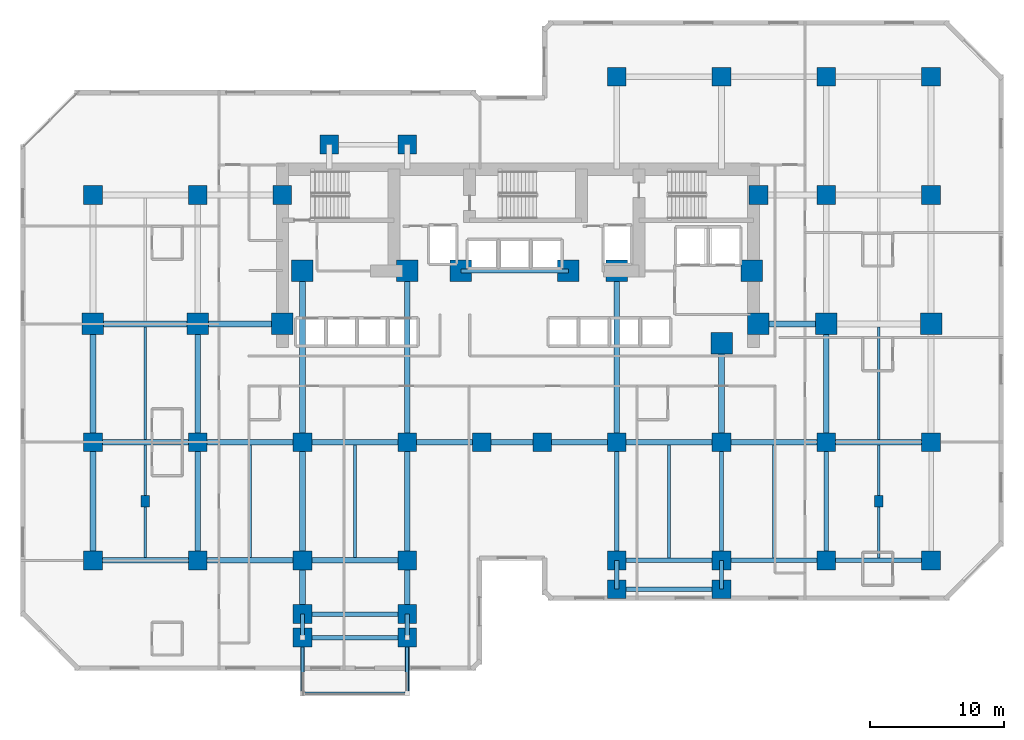
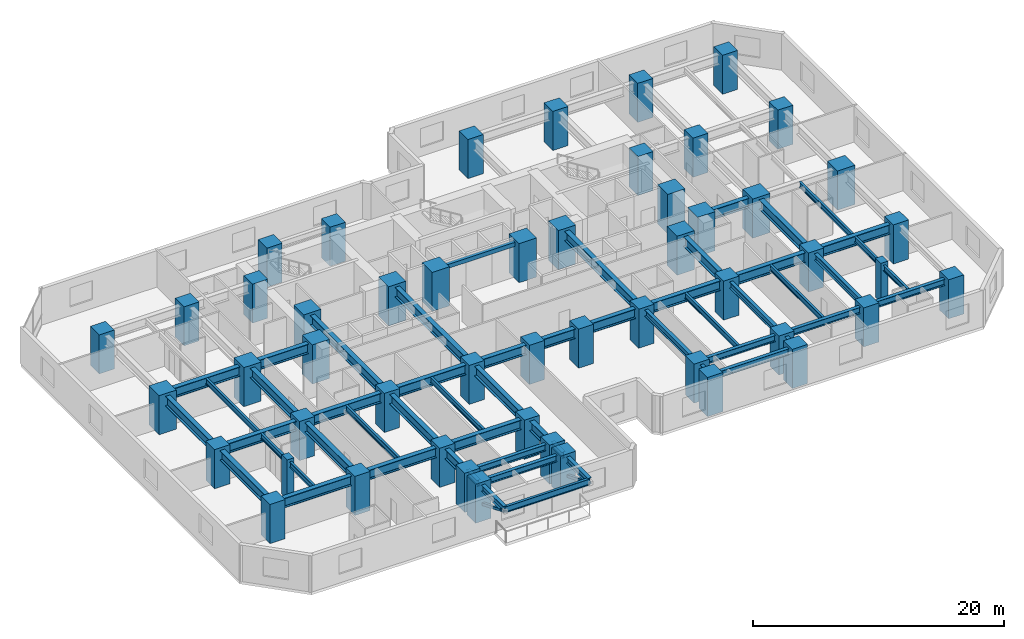
# One storey, part 1 of 11: 53 beams, 51 columns, 2 members.
"""IFC4 building model written with IfcOpenShell, lengths in metres."""

from ifc_helpers import new_model, si_unit, direction, frame, origin, origin_2d, place, context, subcontext, project, spatial, rectangle, hollow_rectangle, i_section, extrude, material, material_profile, profile_set, type_object, element, save


model = new_model("IFC4")

# Units and contexts
model_context = context("Model", 3, precision=1e-05, world=origin(), true_north=direction((0.0, 1.0)))
body_context = subcontext(model_context, "Body", "Model", "MODEL_VIEW")
ifc_project = project(units=[si_unit("LENGTHUNIT", "METRE"), si_unit("AREAUNIT", "SQUARE_METRE"), si_unit("VOLUMEUNIT", "CUBIC_METRE"), si_unit("PLANEANGLEUNIT", "RADIAN"), si_unit("MASSUNIT", "GRAM", prefix="KILO")], contexts=[model_context])

# Site, building, storey
site_placement = place(None, origin())
site = spatial("IfcSite", under=ifc_project, at=site_placement, CompositionType="ELEMENT")
building_placement = place(site_placement, origin())
building = spatial("IfcBuilding", under=site, at=building_placement, Name="Kestravale Grand Hotel", CompositionType="ELEMENT")
storey_placement = place(building_placement, frame((0.0, 0.0, 29.800048828125)))
storey = spatial("IfcBuildingStorey", under=building, at=storey_placement, Name="L06", CompositionType="ELEMENT", Elevation=29.800048828125)

# Columns
ifc_material_1 = material(Name="Concrete f'c 70 MPa", Category="concrete")
ifc_material_profile_1 = material_profile(ifc_material_1, rectangle(XDim=1.39990234375, YDim=1.39990234375, at=origin_2d()))
ifc_profile_set_1 = profile_set([ifc_material_profile_1], Name="Concrete f'c 70 MPa")
column_type_1 = type_object("IfcColumnType", Name="C-Z1-1400", PredefinedType="COLUMN", material=ifc_profile_set_1)
for number, where, z_axis, x_axis, name in (
    (1, (7.800048828125, 11.199951171875, 0.0), (0.0, 0.0, 1.0), (1.0, 0.0, 0.0), "L06 column 2-C"),
    (2, (7.800048828125, 20.0, 0.0), (0.0, 0.0, 1.0), (1.0, 0.0, 0.0), "L06 column 2-D"),
    (3, (7.800048828125, 38.39990234375, 0.0), (0.0, 0.0, 1.0), (1.0, 0.0, 0.0), "L06 column 2-F"),
    (4, (15.60009765625, 11.199951171875, 0.0), (0.0, 0.0, 1.0), (1.0, 0.0, 0.0), "L06 column 3-C"),
    (5, (15.60009765625, 20.0, 0.0), (0.0, 0.0, 1.0), (1.0, 0.0, 0.0), "L06 column 3-D"),
    (6, (15.60009765625, 38.39990234375, 0.0), (0.0, 0.0, 1.0), (1.0, 0.0, 0.0), "L06 column 3-F"),
    (7, (23.39990234375, 11.199951171875, 0.0), (0.0, 0.0, 1.0), (1.0, 0.0, 0.0), "L06 column 4-C"),
    (8, (23.39990234375, 20.0, 0.0), (0.0, 0.0, 1.0), (1.0, 0.0, 0.0), "L06 column 4-D"),
    (9, (31.199951171875, 11.199951171875, 0.0), (0.0, 0.0, 1.0), (1.0, 0.0, 0.0), "L06 column 5-C"),
    (10, (31.199951171875, 20.0, 0.0), (0.0, 0.0, 1.0), (1.0, 0.0, 0.0), "L06 column 5-D"),
    (11, (36.75, 20.0, 0.0), (0.0, 0.0, 1.0), (1.0, 0.0, 0.0), "L06 column 6-D"),
    (12, (41.25, 20.0, 0.0), (0.0, 0.0, 1.0), (1.0, 0.0, 0.0), "L06 column 7-D"),
    (13, (46.800048828125, 11.199951171875, 0.0), (0.0, 0.0, 1.0), (1.0, 0.0, 0.0), "L06 column 8-C"),
    (14, (46.800048828125, 20.0, 0.0), (0.0, 0.0, 1.0), (1.0, 0.0, 0.0), "L06 column 8-D"),
    (15, (46.800048828125, 47.199951171875, 0.0), (0.0, 0.0, 1.0), (1.0, 0.0, 0.0), "L06 column 8-G"),
    (16, (54.60009765625, 11.199951171875, 0.0), (0.0, 0.0, 1.0), (1.0, 0.0, 0.0), "L06 column 9-C"),
    (17, (54.60009765625, 20.0, 0.0), (0.0, 0.0, 1.0), (1.0, 0.0, 0.0), "L06 column 9-D"),
    (18, (54.60009765625, 47.199951171875, 0.0), (0.0, 0.0, 1.0), (1.0, 0.0, 0.0), "L06 column 9-G"),
    (19, (62.39990234375, 11.199951171875, 0.0), (0.0, 0.0, 1.0), (1.0, 0.0, 0.0), "L06 column 10-C"),
    (20, (62.39990234375, 20.0, 0.0), (0.0, 0.0, 1.0), (1.0, 0.0, 0.0), "L06 column 10-D"),
    (21, (62.39990234375, 38.39990234375, 0.0), (0.0, 0.0, 1.0), (1.0, 0.0, 0.0), "L06 column 10-F"),
    (22, (62.39990234375, 47.199951171875, 0.0), (0.0, 0.0, 1.0), (1.0, 0.0, 0.0), "L06 column 10-G"),
    (23, (70.199951171875, 11.199951171875, 0.0), (0.0, 0.0, 1.0), (1.0, 0.0, 0.0), "L06 column 11-C"),
    (24, (70.199951171875, 20.0, 0.0), (0.0, 0.0, 1.0), (1.0, 0.0, 0.0), "L06 column 11-D"),
    (25, (70.199951171875, 38.39990234375, 0.0), (0.0, 0.0, 1.0), (1.0, 0.0, 0.0), "L06 column 11-F"),
    (26, (70.199951171875, 47.199951171875, 0.0), (0.0, 0.0, 1.0), (1.0, 0.0, 0.0), "L06 column 11-G"),
    (27, (21.89990234375, 38.39990234375, 0.0), (0.0, 0.0, 1.0), (1.0, 0.0, 0.0), "L06 column CW-F"),
    (28, (57.35009765625, 38.39990234375, 0.0), (0.0, 0.0, 1.0), (1.0, 0.0, 0.0), "L06 column CE-F"),
    (29, (23.39990234375, 7.199951171875, 0.0), (0.0, 0.0, 1.0), (1.0, 0.0, 0.0), "L06 column 4-BS"),
    (30, (31.199951171875, 7.199951171875, 0.0), (0.0, 0.0, 1.0), (1.0, 0.0, 0.0), "L06 column 5-BS"),
    (31, (25.39990234375, 42.14990234375, 0.0), (0.0, 0.0, 1.0), (1.0, 0.0, 0.0), "L06 column 4-FN"),
    (32, (31.199951171875, 42.14990234375, 0.0), (0.0, 0.0, 1.0), (1.0, 0.0, 0.0), "L06 column 5-FN"),
    (33, (23.39990234375, 5.449951171875, 0.0), (0.0, 0.0, 1.0), (1.0, 0.0, 0.0), "L06 column 4-B1S"),
    (34, (31.199951171875, 5.449951171875, 0.0), (0.0, 0.0, 1.0), (1.0, 0.0, 0.0), "L06 column 5-B1S"),
    (35, (46.800048828125, 9.050048828125, 0.0), (0.0, 0.0, 1.0), (1.0, 0.0, 0.0), "L06 column 8-B1E"),
    (36, (54.60009765625, 9.050048828125, 0.0), (0.0, 0.0, 1.0), (1.0, 0.0, 0.0), "L06 column 9-B1E"),
):
    element("IfcColumn", number, at=place(storey_placement, frame(where, z_axis=z_axis, x_axis=x_axis)), inside=storey, type_object=column_type_1, Name=name, PredefinedType="COLUMN", context=body_context, shape_type="SweptSolid", body=[
        extrude(rectangle(XDim=1.39990234375, YDim=1.39990234375, at=origin_2d()), origin(), (0.0, 0.0, 1.0), 3.800048828125),
    ])
ifc_material_2 = material(Name="Concrete f'c 70 MPa", Category="concrete")
ifc_material_profile_2 = material_profile(ifc_material_2, rectangle(XDim=1.60009765625, YDim=1.60009765625, at=origin_2d()))
ifc_profile_set_2 = profile_set([ifc_material_profile_2], Name="Concrete f'c 70 MPa")
column_type_2 = type_object("IfcColumnType", Name="C-Z1-1600", PredefinedType="COLUMN", material=ifc_profile_set_2)
for number, where, z_axis, x_axis, name in (
    (37, (7.800048828125, 28.800048828125, 0.0), (0.0, 0.0, 1.0), (1.0, 0.0, 0.0), "L06 column 2-E"),
    (38, (15.60009765625, 28.800048828125, 0.0), (0.0, 0.0, 1.0), (1.0, 0.0, 0.0), "L06 column 3-E"),
    (39, (62.39990234375, 28.800048828125, 0.0), (0.0, 0.0, 1.0), (1.0, 0.0, 0.0), "L06 column 10-E"),
    (40, (70.199951171875, 28.800048828125, 0.0), (0.0, 0.0, 1.0), (1.0, 0.0, 0.0), "L06 column 11-E"),
    (41, (21.89990234375, 28.800048828125, 0.0), (0.0, 0.0, 1.0), (1.0, 0.0, 0.0), "L06 column CW-E"),
    (42, (57.35009765625, 28.800048828125, 0.0), (0.0, 0.0, 1.0), (1.0, 0.0, 0.0), "L06 column CE-E"),
    (43, (23.39990234375, 32.75, 0.0), (0.0, 0.0, 1.0), (1.0, 0.0, 0.0), "L06 column 4-CS"),
    (44, (31.199951171875, 32.75, 0.0), (0.0, 0.0, 1.0), (1.0, 0.0, 0.0), "L06 column 5-CS"),
    (45, (35.199951171875, 32.75, 0.0), (0.0, 0.0, 1.0), (1.0, 0.0, 0.0), "L06 column 6C-CS"),
    (46, (43.199951171875, 32.75, 0.0), (0.0, 0.0, 1.0), (1.0, 0.0, 0.0), "L06 column 7C-CS"),
    (47, (46.800048828125, 32.75, 0.0), (0.0, 0.0, 1.0), (1.0, 0.0, 0.0), "L06 column 8-CS"),
    (48, (54.60009765625, 27.35009765625, 0.0), (0.0, 0.0, 1.0), (1.0, 0.0, 0.0), "L06 column 9-CS"),
    (49, (56.85009765625, 32.75, 0.0), (0.0, 0.0, 1.0), (1.0, 0.0, 0.0), "L06 column 9C-CS"),
):
    element("IfcColumn", number, at=place(storey_placement, frame(where, z_axis=z_axis, x_axis=x_axis)), inside=storey, type_object=column_type_2, Name=name, PredefinedType="COLUMN", context=body_context, shape_type="SweptSolid", body=[
        extrude(rectangle(XDim=1.60009765625, YDim=1.60009765625, at=origin_2d()), origin(), (0.0, 0.0, 1.0), 3.800048828125),
    ])
ifc_material_3 = material(Name="Precast concrete f'c 45 MPa", Category="concrete")
ifc_material_profile_3 = material_profile(ifc_material_3, rectangle(XDim=0.64990234375, YDim=0.85009765625, at=origin_2d()))
ifc_profile_set_3 = profile_set([ifc_material_profile_3], Name="Precast concrete f'c 45 MPa")
column_type_3 = type_object("IfcColumnType", Name="C-Z1-PIL850", PredefinedType="PILASTER", material=ifc_profile_set_3)
for number, where, z_axis, x_axis, name in (
    (50, (11.699951171875, 15.60009765625, 0.0), (0.0, 0.0, 1.0), (1.0, 0.0, 0.0), "L06 Art Deco fluted pilaster P1"),
    (51, (66.300048828125, 15.60009765625, 0.0), (0.0, 0.0, 1.0), (1.0, 0.0, 0.0), "L06 Art Deco fluted pilaster P2"),
):
    element("IfcColumn", number, at=place(storey_placement, frame(where, z_axis=z_axis, x_axis=x_axis)), inside=storey, type_object=column_type_3, Name=name, PredefinedType="PILASTER", context=body_context, shape_type="SweptSolid", body=[
        extrude(rectangle(XDim=0.64990234375, YDim=0.85009765625, at=origin_2d()), origin(), (0.0, 0.0, 1.0), 3.800048828125),
    ])

# Beams
ifc_material_4 = material(Name="Steel ASTM A992 Grade 50", Category="steel")
ifc_material_profile_4 = material_profile(ifc_material_4, i_section(OverallWidth=0.2099609375, OverallDepth=0.535888671875, WebThickness=0.010986328125, FlangeThickness=0.017333984375, FilletRadius=0.017578125, at=origin_2d()))
ifc_profile_set_4 = profile_set([ifc_material_profile_4], Name="Steel ASTM A992 Grade 50")
beam_type_1 = type_object("IfcBeamType", Name="B-FLR-JST21", PredefinedType="JOIST", material=ifc_profile_set_4)
for number, where, z_axis, x_axis, name in (
    (52, (11.699951171875, 11.412109375, 3.27197265625), (0.0, 1.0, 0.0), (-1.0, 0.0, 0.0), "L06 floor joist 2-3/C-D #1"),
    (53, (11.699951171875, 20.2119140625, 3.27197265625), (0.0, 1.0, 0.0), (-1.0, 0.0, 0.0), "L06 floor joist 2-3/D-E #1"),
    (54, (19.5, 11.412109375, 3.27197265625), (0.0, 1.0, 0.0), (-1.0, 0.0, 0.0), "L06 floor joist 3-4/C-D #1"),
    (55, (27.300048828125, 11.412109375, 3.27197265625), (0.0, 1.0, 0.0), (-1.0, 0.0, 0.0), "L06 floor joist 4-5/C-D #1"),
):
    element("IfcBeam", number, at=place(storey_placement, frame(where, z_axis=z_axis, x_axis=x_axis)), inside=storey, type_object=beam_type_1, Name=name, PredefinedType="JOIST", context=body_context, shape_type="SweptSolid", body=[
        extrude(i_section(OverallWidth=0.2099609375, OverallDepth=0.535888671875, WebThickness=0.010986328125, FlangeThickness=0.017333984375, FilletRadius=0.017578125, at=origin_2d()), origin(), (0.0, 0.0, 1.0), 8.3759765625),
    ])
for number, where, z_axis, x_axis, name in (
    (56, (50.699951171875, 11.362548828125, 3.27197265625), (0.0, 1.0, 0.0), (-1.0, 0.0, 0.0), "L06 floor joist 8-9/C-D #1"),
    (57, (58.5, 11.362548828125, 3.27197265625), (0.0, 1.0, 0.0), (-1.0, 0.0, 0.0), "L06 floor joist 9-10/C-D #1"),
    (58, (66.300048828125, 11.362548828125, 3.27197265625), (0.0, 1.0, 0.0), (-1.0, 0.0, 0.0), "L06 floor joist 10-11/C-D #1"),
):
    element("IfcBeam", number, at=place(storey_placement, frame(where, z_axis=z_axis, x_axis=x_axis)), inside=storey, type_object=beam_type_1, Name=name, PredefinedType="JOIST", context=body_context, shape_type="SweptSolid", body=[
        extrude(i_section(OverallWidth=0.2099609375, OverallDepth=0.535888671875, WebThickness=0.010986328125, FlangeThickness=0.017333984375, FilletRadius=0.017578125, at=origin_2d()), origin(), (0.0, 0.0, 1.0), 8.425537109375),
    ])
beam_1_placement = place(storey_placement, frame((66.300048828125, 20.2119140625, 3.27197265625), z_axis=(0.0, 1.0, 0.0), x_axis=(-1.0, 0.0, 0.0)))
element("IfcBeam", 59, at=beam_1_placement, inside=storey, type_object=beam_type_1, Name="L06 floor joist 10-11/D-E #1", PredefinedType="JOIST", context=body_context, shape_type="SweptSolid", body=[
    extrude(i_section(OverallWidth=0.2099609375, OverallDepth=0.535888671875, WebThickness=0.010986328125, FlangeThickness=0.017333984375, FilletRadius=0.017578125, at=origin_2d()), origin(), (0.0, 0.0, 1.0), 8.3759765625),
])
ifc_material_5 = material(Name="Concrete f'c 45 MPa", Category="concrete")
ifc_material_profile_5 = material_profile(ifc_material_5, rectangle(XDim=0.300048828125, YDim=0.39990234375, at=origin_2d()))
ifc_profile_set_5 = profile_set([ifc_material_profile_5], Name="Concrete f'c 45 MPa")
beam_type_2 = type_object("IfcBeamType", Name="B-FLR-LNT400", PredefinedType="LINTEL", material=ifc_profile_set_5)
beam_2_placement = place(storey_placement, frame((35.199951171875, 32.75, 3.33984375), z_axis=(1.0, 0.0, 0.0), x_axis=(0.0, 1.0, 0.0)))
element("IfcBeam", 60, at=beam_2_placement, inside=storey, type_object=beam_type_2, Name="L06 core portal header lintel", PredefinedType="LINTEL", context=body_context, shape_type="SweptSolid", body=[
    extrude(rectangle(XDim=0.300048828125, YDim=0.39990234375, at=origin_2d()), origin(), (0.0, 0.0, 1.0), 8.0),
])
ifc_material_6 = material(Name="Steel ASTM A992 Grade 50", Category="steel")
ifc_material_profile_6 = material_profile(ifc_material_6, i_section(OverallWidth=0.324951171875, OverallDepth=0.612060546875, WebThickness=0.0126953125, FlangeThickness=0.01904296875, FilletRadius=0.018798828125, at=origin_2d()))
ifc_profile_set_6 = profile_set([ifc_material_profile_6], Name="Steel ASTM A992 Grade 50")
beam_type_3 = type_object("IfcBeamType", Name="B-FLR-W24A", PredefinedType="SPANDREL", material=ifc_profile_set_6)
beam_3_placement = place(storey_placement, frame((46.800048828125, 11.199951171875, 3.23388671875), z_axis=(1.0, 0.0, 0.0), x_axis=(0.0, 1.0, 0.0)))
element("IfcBeam", 61, at=beam_3_placement, inside=storey, type_object=beam_type_3, Name="L06 spandrel C:8-9", PredefinedType="SPANDREL", context=body_context, shape_type="SweptSolid", body=[
    extrude(i_section(OverallWidth=0.324951171875, OverallDepth=0.612060546875, WebThickness=0.0126953125, FlangeThickness=0.01904296875, FilletRadius=0.018798828125, at=origin_2d()), origin(), (0.0, 0.0, 1.0), 7.800048828125),
])
beam_4_placement = place(storey_placement, frame((54.60009765625, 11.199951171875, 3.23388671875), z_axis=(1.0, 0.0, 0.0), x_axis=(0.0, 1.0, 0.0)))
element("IfcBeam", 62, at=beam_4_placement, inside=storey, type_object=beam_type_3, Name="L06 spandrel C:9-10", PredefinedType="SPANDREL", context=body_context, shape_type="SweptSolid", body=[
    extrude(i_section(OverallWidth=0.324951171875, OverallDepth=0.612060546875, WebThickness=0.0126953125, FlangeThickness=0.01904296875, FilletRadius=0.018798828125, at=origin_2d()), origin(), (0.0, 0.0, 1.0), 7.7998046875),
])
for number, where, z_axis, x_axis, name in (
    (63, (62.39990234375, 11.199951171875, 3.23388671875), (1.0, 0.0, 0.0), (0.0, 1.0, 0.0), "L06 spandrel C:10-11"),
    (64, (23.39990234375, 5.449951171875, 3.23388671875), (1.0, 0.0, 0.0), (0.0, 1.0, 0.0), "L06 perimeter tie spandrel B1S:4-5"),
    (65, (46.800048828125, 9.050048828125, 3.23388671875), (1.0, 0.0, 0.0), (0.0, 1.0, 0.0), "L06 perimeter tie spandrel B1E:8-9"),
    (66, (23.39990234375, 7.199951171875, 3.23388671875), (1.0, 0.0, 0.0), (0.0, 1.0, 0.0), "L06 perimeter tie spandrel BS:4-5"),
):
    element("IfcBeam", number, at=place(storey_placement, frame(where, z_axis=z_axis, x_axis=x_axis)), inside=storey, type_object=beam_type_3, Name=name, PredefinedType="SPANDREL", context=body_context, shape_type="SweptSolid", body=[
        extrude(i_section(OverallWidth=0.324951171875, OverallDepth=0.612060546875, WebThickness=0.0126953125, FlangeThickness=0.01904296875, FilletRadius=0.018798828125, at=origin_2d()), origin(), (0.0, 0.0, 1.0), 7.800048828125),
    ])
for number, where, z_axis, x_axis, name in (
    (67, (23.39990234375, 5.449951171875, 3.23388671875), (0.0, 1.0, 0.0), (-1.0, 0.0, 0.0), "L06 spandrel 4:B1S-BS"),
    (68, (31.199951171875, 5.449951171875, 3.23388671875), (0.0, 1.0, 0.0), (-1.0, 0.0, 0.0), "L06 spandrel 5:B1S-BS"),
):
    element("IfcBeam", number, at=place(storey_placement, frame(where, z_axis=z_axis, x_axis=x_axis)), inside=storey, type_object=beam_type_3, Name=name, PredefinedType="SPANDREL", context=body_context, shape_type="SweptSolid", body=[
        extrude(i_section(OverallWidth=0.324951171875, OverallDepth=0.612060546875, WebThickness=0.0126953125, FlangeThickness=0.01904296875, FilletRadius=0.018798828125, at=origin_2d()), origin(), (0.0, 0.0, 1.0), 1.75),
    ])
beam_5_placement = place(storey_placement, frame((46.800048828125, 9.050048828125, 3.23388671875), z_axis=(0.0, 1.0, 0.0), x_axis=(-1.0, 0.0, 0.0)))
element("IfcBeam", 69, at=beam_5_placement, inside=storey, type_object=beam_type_3, Name="L06 spandrel 8:B1E-C", PredefinedType="SPANDREL", context=body_context, shape_type="SweptSolid", body=[
    extrude(i_section(OverallWidth=0.324951171875, OverallDepth=0.612060546875, WebThickness=0.0126953125, FlangeThickness=0.01904296875, FilletRadius=0.018798828125, at=origin_2d()), origin(), (0.0, 0.0, 1.0), 2.14990234375),
])
beam_6_placement = place(storey_placement, frame((46.800048828125, 11.199951171875, 3.23388671875), z_axis=(0.0, 1.0, 0.0), x_axis=(-1.0, 0.0, 0.0)))
element("IfcBeam", 70, at=beam_6_placement, inside=storey, type_object=beam_type_3, Name="L06 spandrel 8:C-D", PredefinedType="SPANDREL", context=body_context, shape_type="SweptSolid", body=[
    extrude(i_section(OverallWidth=0.324951171875, OverallDepth=0.612060546875, WebThickness=0.0126953125, FlangeThickness=0.01904296875, FilletRadius=0.018798828125, at=origin_2d()), origin(), (0.0, 0.0, 1.0), 8.800048828125),
])
beam_7_placement = place(storey_placement, frame((54.60009765625, 9.050048828125, 3.23388671875), z_axis=(0.0, 1.0, 0.0), x_axis=(-1.0, 0.0, 0.0)))
element("IfcBeam", 71, at=beam_7_placement, inside=storey, type_object=beam_type_3, Name="L06 spandrel 9:B1E-C", PredefinedType="SPANDREL", context=body_context, shape_type="SweptSolid", body=[
    extrude(i_section(OverallWidth=0.324951171875, OverallDepth=0.612060546875, WebThickness=0.0126953125, FlangeThickness=0.01904296875, FilletRadius=0.018798828125, at=origin_2d()), origin(), (0.0, 0.0, 1.0), 2.14990234375),
])
for number, where, z_axis, x_axis, name in (
    (72, (54.60009765625, 11.199951171875, 3.23388671875), (0.0, 1.0, 0.0), (-1.0, 0.0, 0.0), "L06 spandrel 9:C-D"),
    (73, (62.39990234375, 11.199951171875, 3.23388671875), (0.0, 1.0, 0.0), (-1.0, 0.0, 0.0), "L06 spandrel 10:C-D"),
):
    element("IfcBeam", number, at=place(storey_placement, frame(where, z_axis=z_axis, x_axis=x_axis)), inside=storey, type_object=beam_type_3, Name=name, PredefinedType="SPANDREL", context=body_context, shape_type="SweptSolid", body=[
        extrude(i_section(OverallWidth=0.324951171875, OverallDepth=0.612060546875, WebThickness=0.0126953125, FlangeThickness=0.01904296875, FilletRadius=0.018798828125, at=origin_2d()), origin(), (0.0, 0.0, 1.0), 8.800048828125),
    ])
for number, where, z_axis, x_axis, name in (
    (74, (23.39990234375, 5.449951171875, 3.223876953125), (0.0, -1.0, 0.0), (1.0, 0.0, 0.0), "L07 terrace cantilever beam 1"),
    (75, (31.199951171875, 5.449951171875, 3.223876953125), (0.0, -1.0, 0.0), (1.0, 0.0, 0.0), "L07 terrace cantilever beam 2"),
):
    element("IfcBeam", number, at=place(storey_placement, frame(where, z_axis=z_axis, x_axis=x_axis)), inside=storey, type_object=beam_type_3, Name=name, PredefinedType="SPANDREL", context=body_context, shape_type="SweptSolid", body=[
        extrude(i_section(OverallWidth=0.324951171875, OverallDepth=0.612060546875, WebThickness=0.0126953125, FlangeThickness=0.01904296875, FilletRadius=0.018798828125, at=origin_2d()), origin(), (0.0, 0.0, 1.0), 4.14990234375),
    ])
ifc_material_7 = material(Name="Steel ASTM A992 Grade 50", Category="steel")
ifc_material_profile_7 = material_profile(ifc_material_7, i_section(OverallWidth=0.22900390625, OverallDepth=0.612060546875, WebThickness=0.011962890625, FlangeThickness=0.01953125, FilletRadius=0.019287109375, at=origin_2d()))
ifc_profile_set_7 = profile_set([ifc_material_profile_7], Name="Steel ASTM A992 Grade 50")
beam_type_4 = type_object("IfcBeamType", Name="B-FLR-W24B", PredefinedType="SPANDREL", material=ifc_profile_set_7)
beam_8_placement = place(storey_placement, frame((23.39990234375, 1.300048828125, 3.223876953125), z_axis=(1.0, 0.0, 0.0), x_axis=(0.0, 1.0, 0.0)))
element("IfcBeam", 76, at=beam_8_placement, inside=storey, type_object=beam_type_4, Name="L07 terrace edge spandrel", PredefinedType="SPANDREL", context=body_context, shape_type="SweptSolid", body=[
    extrude(i_section(OverallWidth=0.22900390625, OverallDepth=0.612060546875, WebThickness=0.011962890625, FlangeThickness=0.01953125, FilletRadius=0.019287109375, at=origin_2d()), origin(), (0.0, 0.0, 1.0), 7.800048828125),
])
ifc_material_8 = material(Name="Steel ASTM A992 Grade 50", Category="steel")
ifc_material_profile_8 = material_profile(ifc_material_8, i_section(OverallWidth=0.424072265625, OverallDepth=0.947021484375, WebThickness=0.02392578125, FlangeThickness=0.042724609375, FilletRadius=0.0283203125, at=origin_2d()))
ifc_profile_set_8 = profile_set([ifc_material_profile_8], Name="Steel ASTM A992 Grade 50")
beam_type_5 = type_object("IfcBeamType", Name="B-GRD-W36", PredefinedType="BEAM", material=ifc_profile_set_8)
beam_9_placement = place(storey_placement, frame((7.800048828125, 11.199951171875, 3.06640625), z_axis=(1.0, 0.0, 0.0), x_axis=(0.0, 1.0, 0.0)))
element("IfcBeam", 77, at=beam_9_placement, inside=storey, type_object=beam_type_5, Name="L06 girder C:2-3", PredefinedType="BEAM", context=body_context, shape_type="SweptSolid", body=[
    extrude(i_section(OverallWidth=0.424072265625, OverallDepth=0.947021484375, WebThickness=0.02392578125, FlangeThickness=0.042724609375, FilletRadius=0.0283203125, at=origin_2d()), origin(), (0.0, 0.0, 1.0), 7.800048828125),
])
beam_10_placement = place(storey_placement, frame((15.60009765625, 11.199951171875, 3.06640625), z_axis=(1.0, 0.0, 0.0), x_axis=(0.0, 1.0, 0.0)))
element("IfcBeam", 78, at=beam_10_placement, inside=storey, type_object=beam_type_5, Name="L06 girder C:3-4", PredefinedType="BEAM", context=body_context, shape_type="SweptSolid", body=[
    extrude(i_section(OverallWidth=0.424072265625, OverallDepth=0.947021484375, WebThickness=0.02392578125, FlangeThickness=0.042724609375, FilletRadius=0.0283203125, at=origin_2d()), origin(), (0.0, 0.0, 1.0), 7.7998046875),
])
for number, where, z_axis, x_axis, name in (
    (79, (23.39990234375, 11.199951171875, 3.06640625), (1.0, 0.0, 0.0), (0.0, 1.0, 0.0), "L06 girder C:4-5"),
    (80, (7.800048828125, 20.0, 3.06640625), (1.0, 0.0, 0.0), (0.0, 1.0, 0.0), "L06 girder D:2-3"),
):
    element("IfcBeam", number, at=place(storey_placement, frame(where, z_axis=z_axis, x_axis=x_axis)), inside=storey, type_object=beam_type_5, Name=name, PredefinedType="BEAM", context=body_context, shape_type="SweptSolid", body=[
        extrude(i_section(OverallWidth=0.424072265625, OverallDepth=0.947021484375, WebThickness=0.02392578125, FlangeThickness=0.042724609375, FilletRadius=0.0283203125, at=origin_2d()), origin(), (0.0, 0.0, 1.0), 7.800048828125),
    ])
beam_11_placement = place(storey_placement, frame((15.60009765625, 20.0, 3.06640625), z_axis=(1.0, 0.0, 0.0), x_axis=(0.0, 1.0, 0.0)))
element("IfcBeam", 81, at=beam_11_placement, inside=storey, type_object=beam_type_5, Name="L06 girder D:3-4", PredefinedType="BEAM", context=body_context, shape_type="SweptSolid", body=[
    extrude(i_section(OverallWidth=0.424072265625, OverallDepth=0.947021484375, WebThickness=0.02392578125, FlangeThickness=0.042724609375, FilletRadius=0.0283203125, at=origin_2d()), origin(), (0.0, 0.0, 1.0), 7.7998046875),
])
beam_12_placement = place(storey_placement, frame((23.39990234375, 20.0, 3.06640625), z_axis=(1.0, 0.0, 0.0), x_axis=(0.0, 1.0, 0.0)))
element("IfcBeam", 82, at=beam_12_placement, inside=storey, type_object=beam_type_5, Name="L06 girder D:4-5", PredefinedType="BEAM", context=body_context, shape_type="SweptSolid", body=[
    extrude(i_section(OverallWidth=0.424072265625, OverallDepth=0.947021484375, WebThickness=0.02392578125, FlangeThickness=0.042724609375, FilletRadius=0.0283203125, at=origin_2d()), origin(), (0.0, 0.0, 1.0), 7.800048828125),
])
beam_13_placement = place(storey_placement, frame((31.199951171875, 20.0, 3.06640625), z_axis=(1.0, 0.0, 0.0), x_axis=(0.0, 1.0, 0.0)))
element("IfcBeam", 83, at=beam_13_placement, inside=storey, type_object=beam_type_5, Name="L06 girder D:5-6", PredefinedType="BEAM", context=body_context, shape_type="SweptSolid", body=[
    extrude(i_section(OverallWidth=0.424072265625, OverallDepth=0.947021484375, WebThickness=0.02392578125, FlangeThickness=0.042724609375, FilletRadius=0.0283203125, at=origin_2d()), origin(), (0.0, 0.0, 1.0), 5.550048828125),
])
beam_14_placement = place(storey_placement, frame((36.75, 20.0, 3.06640625), z_axis=(1.0, 0.0, 0.0), x_axis=(0.0, 1.0, 0.0)))
element("IfcBeam", 84, at=beam_14_placement, inside=storey, type_object=beam_type_5, Name="L06 girder D:6-7", PredefinedType="BEAM", context=body_context, shape_type="SweptSolid", body=[
    extrude(i_section(OverallWidth=0.424072265625, OverallDepth=0.947021484375, WebThickness=0.02392578125, FlangeThickness=0.042724609375, FilletRadius=0.0283203125, at=origin_2d()), origin(), (0.0, 0.0, 1.0), 4.5),
])
beam_15_placement = place(storey_placement, frame((41.25, 20.0, 3.06640625), z_axis=(1.0, 0.0, 0.0), x_axis=(0.0, 1.0, 0.0)))
element("IfcBeam", 85, at=beam_15_placement, inside=storey, type_object=beam_type_5, Name="L06 girder D:7-8", PredefinedType="BEAM", context=body_context, shape_type="SweptSolid", body=[
    extrude(i_section(OverallWidth=0.424072265625, OverallDepth=0.947021484375, WebThickness=0.02392578125, FlangeThickness=0.042724609375, FilletRadius=0.0283203125, at=origin_2d()), origin(), (0.0, 0.0, 1.0), 5.550048828125),
])
beam_16_placement = place(storey_placement, frame((46.800048828125, 20.0, 3.06640625), z_axis=(1.0, 0.0, 0.0), x_axis=(0.0, 1.0, 0.0)))
element("IfcBeam", 86, at=beam_16_placement, inside=storey, type_object=beam_type_5, Name="L06 girder D:8-9", PredefinedType="BEAM", context=body_context, shape_type="SweptSolid", body=[
    extrude(i_section(OverallWidth=0.424072265625, OverallDepth=0.947021484375, WebThickness=0.02392578125, FlangeThickness=0.042724609375, FilletRadius=0.0283203125, at=origin_2d()), origin(), (0.0, 0.0, 1.0), 7.800048828125),
])
beam_17_placement = place(storey_placement, frame((54.60009765625, 20.0, 3.06640625), z_axis=(1.0, 0.0, 0.0), x_axis=(0.0, 1.0, 0.0)))
element("IfcBeam", 87, at=beam_17_placement, inside=storey, type_object=beam_type_5, Name="L06 girder D:9-10", PredefinedType="BEAM", context=body_context, shape_type="SweptSolid", body=[
    extrude(i_section(OverallWidth=0.424072265625, OverallDepth=0.947021484375, WebThickness=0.02392578125, FlangeThickness=0.042724609375, FilletRadius=0.0283203125, at=origin_2d()), origin(), (0.0, 0.0, 1.0), 7.7998046875),
])
for number, where, z_axis, x_axis, name in (
    (88, (62.39990234375, 20.0, 3.06640625), (1.0, 0.0, 0.0), (0.0, 1.0, 0.0), "L06 girder D:10-11"),
    (89, (7.800048828125, 28.800048828125, 3.06640625), (1.0, 0.0, 0.0), (0.0, 1.0, 0.0), "L06 girder E:2-3"),
):
    element("IfcBeam", number, at=place(storey_placement, frame(where, z_axis=z_axis, x_axis=x_axis)), inside=storey, type_object=beam_type_5, Name=name, PredefinedType="BEAM", context=body_context, shape_type="SweptSolid", body=[
        extrude(i_section(OverallWidth=0.424072265625, OverallDepth=0.947021484375, WebThickness=0.02392578125, FlangeThickness=0.042724609375, FilletRadius=0.0283203125, at=origin_2d()), origin(), (0.0, 0.0, 1.0), 7.800048828125),
    ])
beam_18_placement = place(storey_placement, frame((15.60009765625, 28.800048828125, 3.06640625), z_axis=(1.0, 0.0, 0.0), x_axis=(0.0, 1.0, 0.0)))
element("IfcBeam", 90, at=beam_18_placement, inside=storey, type_object=beam_type_5, Name="L06 girder E:3-CW", PredefinedType="BEAM", context=body_context, shape_type="SweptSolid", body=[
    extrude(i_section(OverallWidth=0.424072265625, OverallDepth=0.947021484375, WebThickness=0.02392578125, FlangeThickness=0.042724609375, FilletRadius=0.0283203125, at=origin_2d()), origin(), (0.0, 0.0, 1.0), 6.2998046875),
])
beam_19_placement = place(storey_placement, frame((57.35009765625, 28.800048828125, 3.06640625), z_axis=(1.0, 0.0, 0.0), x_axis=(0.0, 1.0, 0.0)))
element("IfcBeam", 91, at=beam_19_placement, inside=storey, type_object=beam_type_5, Name="L06 girder E:CE-10", PredefinedType="BEAM", context=body_context, shape_type="SweptSolid", body=[
    extrude(i_section(OverallWidth=0.424072265625, OverallDepth=0.947021484375, WebThickness=0.02392578125, FlangeThickness=0.042724609375, FilletRadius=0.0283203125, at=origin_2d()), origin(), (0.0, 0.0, 1.0), 5.0498046875),
])
for number, where, z_axis, x_axis, name in (
    (92, (7.800048828125, 11.199951171875, 3.06640625), (0.0, 1.0, 0.0), (-1.0, 0.0, 0.0), "L06 girder 2:C-D"),
    (93, (7.800048828125, 20.0, 3.06640625), (0.0, 1.0, 0.0), (-1.0, 0.0, 0.0), "L06 girder 2:D-E"),
    (94, (15.60009765625, 11.199951171875, 3.06640625), (0.0, 1.0, 0.0), (-1.0, 0.0, 0.0), "L06 girder 3:C-D"),
    (95, (15.60009765625, 20.0, 3.06640625), (0.0, 1.0, 0.0), (-1.0, 0.0, 0.0), "L06 girder 3:D-E"),
):
    element("IfcBeam", number, at=place(storey_placement, frame(where, z_axis=z_axis, x_axis=x_axis)), inside=storey, type_object=beam_type_5, Name=name, PredefinedType="BEAM", context=body_context, shape_type="SweptSolid", body=[
        extrude(i_section(OverallWidth=0.424072265625, OverallDepth=0.947021484375, WebThickness=0.02392578125, FlangeThickness=0.042724609375, FilletRadius=0.0283203125, at=origin_2d()), origin(), (0.0, 0.0, 1.0), 8.800048828125),
    ])
beam_20_placement = place(storey_placement, frame((23.39990234375, 7.199951171875, 3.06640625), z_axis=(0.0, 1.0, 0.0), x_axis=(-1.0, 0.0, 0.0)))
element("IfcBeam", 96, at=beam_20_placement, inside=storey, type_object=beam_type_5, Name="L06 girder 4:BS-C", PredefinedType="BEAM", context=body_context, shape_type="SweptSolid", body=[
    extrude(i_section(OverallWidth=0.424072265625, OverallDepth=0.947021484375, WebThickness=0.02392578125, FlangeThickness=0.042724609375, FilletRadius=0.0283203125, at=origin_2d()), origin(), (0.0, 0.0, 1.0), 4.0),
])
beam_21_placement = place(storey_placement, frame((23.39990234375, 11.199951171875, 3.06640625), z_axis=(0.0, 1.0, 0.0), x_axis=(-1.0, 0.0, 0.0)))
element("IfcBeam", 97, at=beam_21_placement, inside=storey, type_object=beam_type_5, Name="L06 girder 4:C-D", PredefinedType="BEAM", context=body_context, shape_type="SweptSolid", body=[
    extrude(i_section(OverallWidth=0.424072265625, OverallDepth=0.947021484375, WebThickness=0.02392578125, FlangeThickness=0.042724609375, FilletRadius=0.0283203125, at=origin_2d()), origin(), (0.0, 0.0, 1.0), 8.800048828125),
])
beam_22_placement = place(storey_placement, frame((23.39990234375, 20.0, 3.06640625), z_axis=(0.0, 1.0, 0.0), x_axis=(-1.0, 0.0, 0.0)))
element("IfcBeam", 98, at=beam_22_placement, inside=storey, type_object=beam_type_5, Name="L06 girder 4:D-CS", PredefinedType="BEAM", context=body_context, shape_type="SweptSolid", body=[
    extrude(i_section(OverallWidth=0.424072265625, OverallDepth=0.947021484375, WebThickness=0.02392578125, FlangeThickness=0.042724609375, FilletRadius=0.0283203125, at=origin_2d()), origin(), (0.0, 0.0, 1.0), 12.75),
])
beam_23_placement = place(storey_placement, frame((31.199951171875, 7.199951171875, 3.06640625), z_axis=(0.0, 1.0, 0.0), x_axis=(-1.0, 0.0, 0.0)))
element("IfcBeam", 99, at=beam_23_placement, inside=storey, type_object=beam_type_5, Name="L06 girder 5:BS-C", PredefinedType="BEAM", context=body_context, shape_type="SweptSolid", body=[
    extrude(i_section(OverallWidth=0.424072265625, OverallDepth=0.947021484375, WebThickness=0.02392578125, FlangeThickness=0.042724609375, FilletRadius=0.0283203125, at=origin_2d()), origin(), (0.0, 0.0, 1.0), 4.0),
])
beam_24_placement = place(storey_placement, frame((31.199951171875, 11.199951171875, 3.06640625), z_axis=(0.0, 1.0, 0.0), x_axis=(-1.0, 0.0, 0.0)))
element("IfcBeam", 100, at=beam_24_placement, inside=storey, type_object=beam_type_5, Name="L06 girder 5:C-D", PredefinedType="BEAM", context=body_context, shape_type="SweptSolid", body=[
    extrude(i_section(OverallWidth=0.424072265625, OverallDepth=0.947021484375, WebThickness=0.02392578125, FlangeThickness=0.042724609375, FilletRadius=0.0283203125, at=origin_2d()), origin(), (0.0, 0.0, 1.0), 8.800048828125),
])
for number, where, z_axis, x_axis, name in (
    (101, (31.199951171875, 20.0, 3.06640625), (0.0, 1.0, 0.0), (-1.0, 0.0, 0.0), "L06 girder 5:D-CS"),
    (102, (46.800048828125, 20.0, 3.06640625), (0.0, 1.0, 0.0), (-1.0, 0.0, 0.0), "L06 girder 8:D-CS"),
):
    element("IfcBeam", number, at=place(storey_placement, frame(where, z_axis=z_axis, x_axis=x_axis)), inside=storey, type_object=beam_type_5, Name=name, PredefinedType="BEAM", context=body_context, shape_type="SweptSolid", body=[
        extrude(i_section(OverallWidth=0.424072265625, OverallDepth=0.947021484375, WebThickness=0.02392578125, FlangeThickness=0.042724609375, FilletRadius=0.0283203125, at=origin_2d()), origin(), (0.0, 0.0, 1.0), 12.75),
    ])
beam_25_placement = place(storey_placement, frame((54.60009765625, 20.0, 3.06640625), z_axis=(0.0, 1.0, 0.0), x_axis=(-1.0, 0.0, 0.0)))
element("IfcBeam", 103, at=beam_25_placement, inside=storey, type_object=beam_type_5, Name="L06 girder 9:D-CS", PredefinedType="BEAM", context=body_context, shape_type="SweptSolid", body=[
    extrude(i_section(OverallWidth=0.424072265625, OverallDepth=0.947021484375, WebThickness=0.02392578125, FlangeThickness=0.042724609375, FilletRadius=0.0283203125, at=origin_2d()), origin(), (0.0, 0.0, 1.0), 7.35009765625),
])
beam_26_placement = place(storey_placement, frame((62.39990234375, 20.0, 3.06640625), z_axis=(0.0, 1.0, 0.0), x_axis=(-1.0, 0.0, 0.0)))
element("IfcBeam", 104, at=beam_26_placement, inside=storey, type_object=beam_type_5, Name="L06 girder 10:D-E", PredefinedType="BEAM", context=body_context, shape_type="SweptSolid", body=[
    extrude(i_section(OverallWidth=0.424072265625, OverallDepth=0.947021484375, WebThickness=0.02392578125, FlangeThickness=0.042724609375, FilletRadius=0.0283203125, at=origin_2d()), origin(), (0.0, 0.0, 1.0), 8.800048828125),
])

# Members
ifc_material_9 = material(Name="Steel ASTM A500 Grade C", Category="steel")
ifc_material_profile_9 = material_profile(ifc_material_9, hollow_rectangle(XDim=0.25, YDim=0.25, WallThickness=0.011962890625, InnerFilletRadius=0.011962890625, OuterFilletRadius=0.02392578125, at=origin_2d()))
ifc_profile_set_9 = profile_set([ifc_material_profile_9], Name="Steel ASTM A500 Grade C")
member_type = type_object("IfcMemberType", Name="M-BLT-STR250", PredefinedType="STRUT", material=ifc_profile_set_9)
for number, where, z_axis, x_axis, name in (
    (105, (23.39990234375, 5.449951171875, 1.3740234375), (0.0, -0.925369949496, 0.379065240519), (1.0, 0.0, 0.0), "L07 terrace knee-brace strut 1"),
    (106, (31.199951171875, 5.449951171875, 1.3740234375), (0.0, -0.925369949496, 0.379065240519), (1.0, 0.0, 0.0), "L07 terrace knee-brace strut 2"),
):
    element("IfcMember", number, at=place(storey_placement, frame(where, z_axis=z_axis, x_axis=x_axis)), inside=storey, type_object=member_type, Name=name, PredefinedType="STRUT", context=body_context, shape_type="SweptSolid", body=[
        extrude(hollow_rectangle(XDim=0.25, YDim=0.25, WallThickness=0.011962890625, InnerFilletRadius=0.011962890625, OuterFilletRadius=0.02392578125, at=origin_2d()), origin(), (0.0, 0.0, 1.0), 4.484619140625),
    ])

save(model, "model.ifc")
